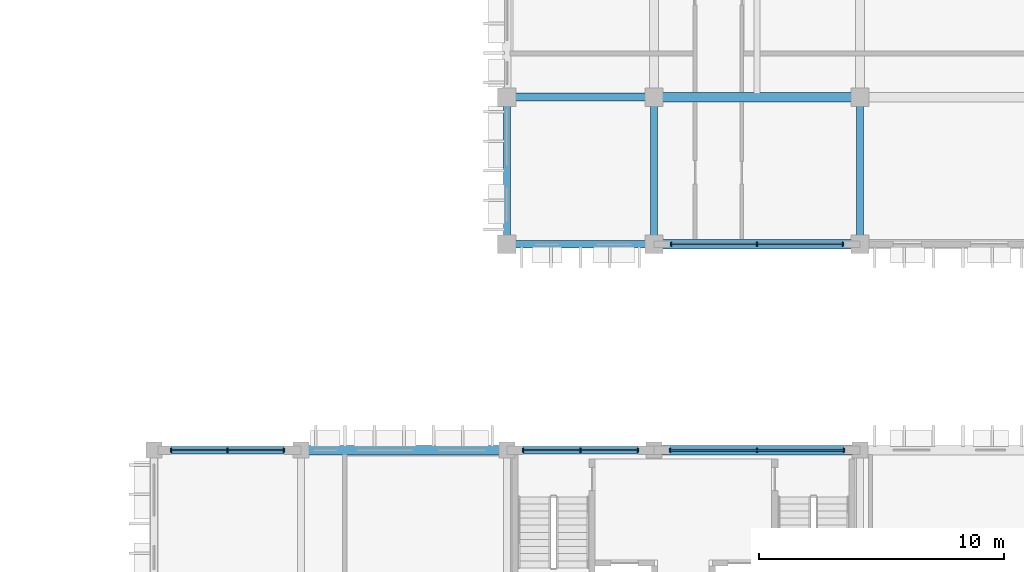
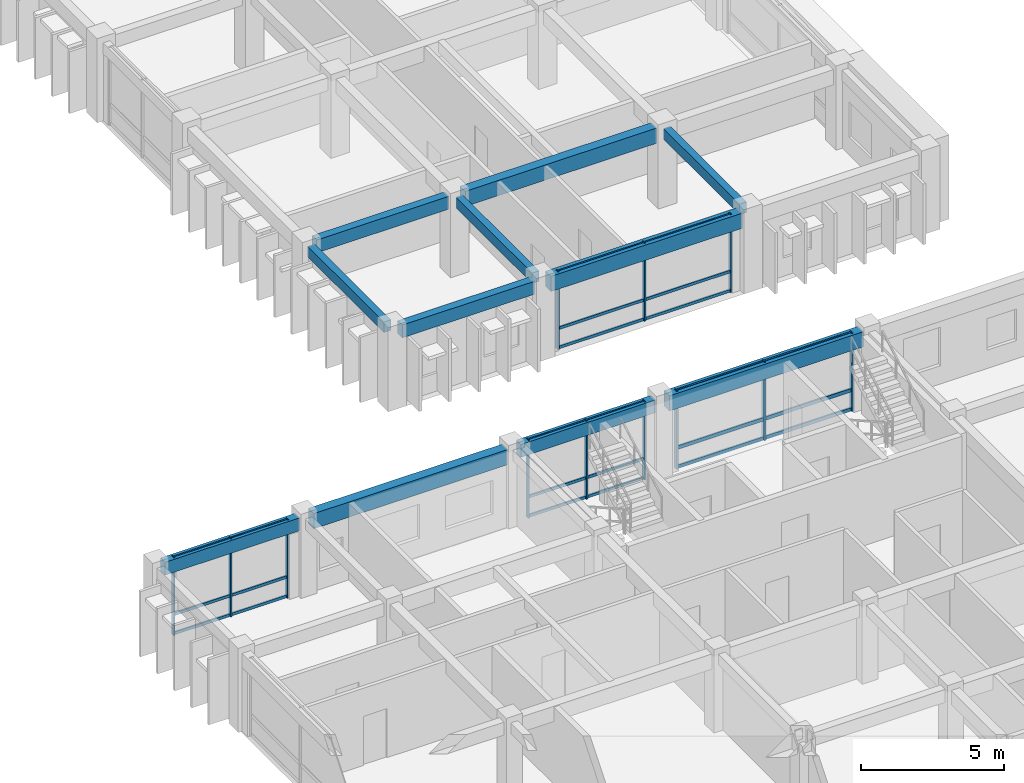
# One storey, part 38 of 88: 24 members, 11 beams, 4 elements without a shape of their own.
"""IFC4 building model written with IfcOpenShell, lengths in metres."""

from ifc_helpers import new_model, si_unit, direction, frame, origin, origin_2d, place, context, subcontext, project, spatial, rectangle, extrude, material, material_profile, profile_set, type_object, element, aggregate, save


model = new_model("IFC4")

# Units and contexts
model_context = context("Model", 3, precision=1e-05, world=origin(), true_north=direction((0.0, 1.0)))
body_context = subcontext(model_context, "Body", "Model", "MODEL_VIEW")
ifc_project = project(units=[si_unit("LENGTHUNIT", "METRE"), si_unit("AREAUNIT", "SQUARE_METRE"), si_unit("VOLUMEUNIT", "CUBIC_METRE"), si_unit("PLANEANGLEUNIT", "RADIAN"), si_unit("MASSUNIT", "GRAM", prefix="KILO"), si_unit("THERMODYNAMICTEMPERATUREUNIT", "KELVIN")], contexts=[model_context])

# Site, building, storey
site_placement = place(None, origin())
site = spatial("IfcSite", under=ifc_project, at=site_placement, CompositionType="ELEMENT")
building_placement = place(site_placement, origin())
building = spatial("IfcBuilding", under=site, at=building_placement, Name="Thalorik Housing Commons", CompositionType="ELEMENT")
storey_placement = place(building_placement, frame((0.0, 0.0, 4.5)))
storey = spatial("IfcBuildingStorey", under=building, at=storey_placement, Name="L01", CompositionType="ELEMENT", Elevation=4.5)

# Curtain wall, members
ifc_material_1 = material(Name="Anodised aluminium and solar-control low-E glass", Category="aluminium")
curtain_wall_type_1 = type_object("IfcCurtainWallType", Name="ARC-CW-LOUNGE", PredefinedType="USERDEFINED", material=ifc_material_1)
curtain_wall_1_placement = place(storey_placement, origin())
curtain_wall_1 = element("IfcCurtainWall", 1, at=curtain_wall_1_placement, inside=storey, type_object=curtain_wall_type_1, Name="L01 Curtain Wall CW-RES-L01-B-077", ObjectType="CURTAIN WALL", PredefinedType="USERDEFINED")
ifc_material_2 = material(Name="Anodised aluminium 6063-T6", Category="aluminium")
ifc_material_profile_1 = material_profile(ifc_material_2, rectangle(XDim=0.06005859375, YDim=0.159912109375, at=origin_2d()), Name="ALU MUL 60x160", Category="aluminium")
ifc_profile_set_1 = profile_set([ifc_material_profile_1], Name="Anodised aluminium 6063-T6")
member_type_1 = type_object("IfcMemberType", Name="ARC-CW-MUL-60x160", PredefinedType="MULLION", material=ifc_profile_set_1)
member_1_placement = place(storey_placement, frame((159.10009765625, 80.39990234375, 0.0), z_axis=(0.0, 0.0, 1.0), x_axis=(1.0, 0.0, 0.0)))
member_1 = element("IfcMember", 2, at=member_1_placement, type_object=member_type_1, Name="CW-RES-L01-B-077 Mullion 1", PredefinedType="MULLION", context=body_context, shape_type="SweptSolid", body=[
    extrude(rectangle(XDim=0.06005859375, YDim=0.159912109375, at=origin_2d()), origin(), (0.0, 0.0, 1.0), 3.340087890625),
])
member_2_placement = place(storey_placement, frame((162.60009765625, 80.39990234375, 0.0), z_axis=(0.0, 0.0, 1.0), x_axis=(1.0, 0.0, 0.0)))
member_2 = element("IfcMember", 3, at=member_2_placement, type_object=member_type_1, Name="CW-RES-L01-B-077 Mullion 2", PredefinedType="MULLION", context=body_context, shape_type="SweptSolid", body=[
    extrude(rectangle(XDim=0.06005859375, YDim=0.159912109375, at=origin_2d()), origin(), (0.0, 0.0, 1.0), 3.340087890625),
])
member_3_placement = place(storey_placement, frame((166.10009765625, 80.39990234375, 0.0), z_axis=(0.0, 0.0, 1.0), x_axis=(1.0, 0.0, 0.0)))
member_3 = element("IfcMember", 4, at=member_3_placement, type_object=member_type_1, Name="CW-RES-L01-B-077 Mullion 3", PredefinedType="MULLION", context=body_context, shape_type="SweptSolid", body=[
    extrude(rectangle(XDim=0.06005859375, YDim=0.159912109375, at=origin_2d()), origin(), (0.0, 0.0, 1.0), 3.340087890625),
])

curtain_wall_2_placement = place(storey_placement, origin())
curtain_wall_2 = element("IfcCurtainWall", 5, at=curtain_wall_2_placement, inside=storey, type_object=curtain_wall_type_1, Name="L01 Curtain Wall CW-RES-L01-D-173", ObjectType="CURTAIN WALL", PredefinedType="USERDEFINED")
member_4_placement = place(storey_placement, frame((143.300048828125, 72.0, 0.0), z_axis=(0.0, 0.0, 1.0), x_axis=(-1.0, 0.0, 0.0)))
member_4 = element("IfcMember", 6, at=member_4_placement, type_object=member_type_1, Name="CW-RES-L01-D-173 Mullion 1", PredefinedType="MULLION", context=body_context, shape_type="SweptSolid", body=[
    extrude(rectangle(XDim=0.06005859375, YDim=0.159912109375, at=origin_2d()), origin(), (0.0, 0.0, 1.0), 3.340087890625),
])
member_5_placement = place(storey_placement, frame((141.0, 72.0, 0.0), z_axis=(0.0, 0.0, 1.0), x_axis=(-1.0, 0.0, 0.0)))
member_5 = element("IfcMember", 7, at=member_5_placement, type_object=member_type_1, Name="CW-RES-L01-D-173 Mullion 2", PredefinedType="MULLION", context=body_context, shape_type="SweptSolid", body=[
    extrude(rectangle(XDim=0.06005859375, YDim=0.159912109375, at=origin_2d()), origin(), (0.0, 0.0, 1.0), 3.340087890625),
])
member_6_placement = place(storey_placement, frame((138.699951171875, 72.0, 0.0), z_axis=(0.0, 0.0, 1.0), x_axis=(-1.0, 0.0, 0.0)))
member_6 = element("IfcMember", 8, at=member_6_placement, type_object=member_type_1, Name="CW-RES-L01-D-173 Mullion 3", PredefinedType="MULLION", context=body_context, shape_type="SweptSolid", body=[
    extrude(rectangle(XDim=0.06005859375, YDim=0.159912109375, at=origin_2d()), origin(), (0.0, 0.0, 1.0), 3.340087890625),
])

curtain_wall_type_2 = type_object("IfcCurtainWallType", Name="ARC-CW-CORE", PredefinedType="USERDEFINED", material=ifc_material_1)
curtain_wall_3_placement = place(storey_placement, origin())
curtain_wall_3 = element("IfcCurtainWall", 9, at=curtain_wall_3_placement, inside=storey, type_object=curtain_wall_type_2, Name="L01 Curtain Wall CW-CORE-L01-D-179", ObjectType="CURTAIN WALL", PredefinedType="USERDEFINED")
member_7_placement = place(storey_placement, frame((157.75, 72.0, 0.0), z_axis=(0.0, 0.0, 1.0), x_axis=(-1.0, 0.0, 0.0)))
member_7 = element("IfcMember", 10, at=member_7_placement, type_object=member_type_1, Name="CW-CORE-L01-D-179 Mullion 1", PredefinedType="MULLION", context=body_context, shape_type="SweptSolid", body=[
    extrude(rectangle(XDim=0.06005859375, YDim=0.159912109375, at=origin_2d()), origin(), (0.0, 0.0, 1.0), 3.340087890625),
])
member_8_placement = place(storey_placement, frame((155.39990234375, 72.0, 0.0), z_axis=(0.0, 0.0, 1.0), x_axis=(-1.0, 0.0, 0.0)))
member_8 = element("IfcMember", 11, at=member_8_placement, type_object=member_type_1, Name="CW-CORE-L01-D-179 Mullion 2", PredefinedType="MULLION", context=body_context, shape_type="SweptSolid", body=[
    extrude(rectangle(XDim=0.06005859375, YDim=0.159912109375, at=origin_2d()), origin(), (0.0, 0.0, 1.0), 3.340087890625),
])
member_9_placement = place(storey_placement, frame((153.050048828125, 72.0, 0.0), z_axis=(0.0, 0.0, 1.0), x_axis=(-1.0, 0.0, 0.0)))
member_9 = element("IfcMember", 12, at=member_9_placement, type_object=member_type_1, Name="CW-CORE-L01-D-179 Mullion 3", PredefinedType="MULLION", context=body_context, shape_type="SweptSolid", body=[
    extrude(rectangle(XDim=0.06005859375, YDim=0.159912109375, at=origin_2d()), origin(), (0.0, 0.0, 1.0), 3.340087890625),
])

curtain_wall_4_placement = place(storey_placement, origin())
curtain_wall_4 = element("IfcCurtainWall", 13, at=curtain_wall_4_placement, inside=storey, type_object=curtain_wall_type_2, Name="L01 Curtain Wall CW-CORE-L01-D-178", ObjectType="CURTAIN WALL", PredefinedType="USERDEFINED")
ifc_material_profile_2 = material_profile(ifc_material_2, rectangle(XDim=0.06494140625, YDim=0.179931640625, at=origin_2d()), Name="ALU MUL 65x180", Category="aluminium")
ifc_profile_set_2 = profile_set([ifc_material_profile_2], Name="Anodised aluminium 6063-T6")
member_type_2 = type_object("IfcMemberType", Name="ARC-CW-MUL-65x180", PredefinedType="MULLION", material=ifc_profile_set_2)
member_10_placement = place(storey_placement, frame((166.14990234375, 72.0, 0.0), z_axis=(0.0, 0.0, 1.0), x_axis=(-1.0, 0.0, 0.0)))
member_10 = element("IfcMember", 14, at=member_10_placement, type_object=member_type_2, Name="CW-CORE-L01-D-178 Mullion 1", PredefinedType="MULLION", context=body_context, shape_type="SweptSolid", body=[
    extrude(rectangle(XDim=0.06494140625, YDim=0.179931640625, at=origin_2d()), origin(), (0.0, 0.0, 1.0), 3.340087890625),
])
member_11_placement = place(storey_placement, frame((162.60009765625, 72.0, 0.0), z_axis=(0.0, 0.0, 1.0), x_axis=(-1.0, 0.0, 0.0)))
member_11 = element("IfcMember", 15, at=member_11_placement, type_object=member_type_2, Name="CW-CORE-L01-D-178 Mullion 2", PredefinedType="MULLION", context=body_context, shape_type="SweptSolid", body=[
    extrude(rectangle(XDim=0.06494140625, YDim=0.179931640625, at=origin_2d()), origin(), (0.0, 0.0, 1.0), 3.340087890625),
])
member_12_placement = place(storey_placement, frame((159.050048828125, 72.0, 0.0), z_axis=(0.0, 0.0, 1.0), x_axis=(-1.0, 0.0, 0.0)))
member_12 = element("IfcMember", 16, at=member_12_placement, type_object=member_type_2, Name="CW-CORE-L01-D-178 Mullion 3", PredefinedType="MULLION", context=body_context, shape_type="SweptSolid", body=[
    extrude(rectangle(XDim=0.06494140625, YDim=0.179931640625, at=origin_2d()), origin(), (0.0, 0.0, 1.0), 3.340087890625),
])

# Member
ifc_material_profile_3 = material_profile(ifc_material_2, rectangle(XDim=0.06005859375, YDim=0.1201171875, at=origin_2d()), Name="ALU TRN 60x120", Category="aluminium")
ifc_profile_set_3 = profile_set([ifc_material_profile_3], Name="Anodised aluminium 6063-T6")
member_type_3 = type_object("IfcMemberType", Name="ARC-CW-TRN-60x120", PredefinedType="USERDEFINED", material=ifc_profile_set_3)
member_13_placement = place(storey_placement, frame((159.10009765625, 80.39990234375, 0.054931640625), z_axis=(1.0, 0.0, 0.0), x_axis=(0.0, 1.0, 0.0)))
member_13 = element("IfcMember", 17, at=member_13_placement, type_object=member_type_3, Name="CW-RES-L01-B-077 Transom 1", ObjectType="TRANSOM", PredefinedType="USERDEFINED", context=body_context, shape_type="SweptSolid", body=[
    extrude(rectangle(XDim=0.06005859375, YDim=0.1201171875, at=origin_2d()), origin(), (0.0, 0.0, 1.0), 7.0),
])

member_14_placement = place(storey_placement, frame((159.10009765625, 80.39990234375, 0.8798828125), z_axis=(1.0, 0.0, 0.0), x_axis=(0.0, 1.0, 0.0)))
member_14 = element("IfcMember", 18, at=member_14_placement, type_object=member_type_3, Name="CW-RES-L01-B-077 Transom 2", ObjectType="TRANSOM", PredefinedType="USERDEFINED", context=body_context, shape_type="SweptSolid", body=[
    extrude(rectangle(XDim=0.06005859375, YDim=0.1201171875, at=origin_2d()), origin(), (0.0, 0.0, 1.0), 7.0),
])

member_15_placement = place(storey_placement, frame((159.10009765625, 80.39990234375, 3.284912109375), z_axis=(1.0, 0.0, 0.0), x_axis=(0.0, 1.0, 0.0)))
member_15 = element("IfcMember", 19, at=member_15_placement, type_object=member_type_3, Name="CW-RES-L01-B-077 Transom 3", ObjectType="TRANSOM", PredefinedType="USERDEFINED", context=body_context, shape_type="SweptSolid", body=[
    extrude(rectangle(XDim=0.06005859375, YDim=0.1201171875, at=origin_2d()), origin(), (0.0, 0.0, 1.0), 7.0),
])

aggregate(curtain_wall_1, [member_1, member_2, member_3, member_13, member_14, member_15])

member_16_placement = place(storey_placement, frame((143.300048828125, 72.0, 0.054931640625), z_axis=(-1.0, 0.0, 0.0), x_axis=(0.0, -1.0, 0.0)))
member_16 = element("IfcMember", 20, at=member_16_placement, type_object=member_type_3, Name="CW-RES-L01-D-173 Transom 1", ObjectType="TRANSOM", PredefinedType="USERDEFINED", context=body_context, shape_type="SweptSolid", body=[
    extrude(rectangle(XDim=0.06005859375, YDim=0.1201171875, at=origin_2d()), origin(), (0.0, 0.0, 1.0), 4.60009765625),
])

member_17_placement = place(storey_placement, frame((143.300048828125, 72.0, 0.8798828125), z_axis=(-1.0, 0.0, 0.0), x_axis=(0.0, -1.0, 0.0)))
member_17 = element("IfcMember", 21, at=member_17_placement, type_object=member_type_3, Name="CW-RES-L01-D-173 Transom 2", ObjectType="TRANSOM", PredefinedType="USERDEFINED", context=body_context, shape_type="SweptSolid", body=[
    extrude(rectangle(XDim=0.06005859375, YDim=0.1201171875, at=origin_2d()), origin(), (0.0, 0.0, 1.0), 4.60009765625),
])

member_18_placement = place(storey_placement, frame((143.300048828125, 72.0, 3.284912109375), z_axis=(-1.0, 0.0, 0.0), x_axis=(0.0, -1.0, 0.0)))
member_18 = element("IfcMember", 22, at=member_18_placement, type_object=member_type_3, Name="CW-RES-L01-D-173 Transom 3", ObjectType="TRANSOM", PredefinedType="USERDEFINED", context=body_context, shape_type="SweptSolid", body=[
    extrude(rectangle(XDim=0.06005859375, YDim=0.1201171875, at=origin_2d()), origin(), (0.0, 0.0, 1.0), 4.60009765625),
])

aggregate(curtain_wall_2, [member_4, member_5, member_6, member_16, member_17, member_18])

member_19_placement = place(storey_placement, frame((157.75, 72.0, 0.054931640625), z_axis=(-1.0, 0.0, 0.0), x_axis=(0.0, -1.0, 0.0)))
member_19 = element("IfcMember", 23, at=member_19_placement, type_object=member_type_3, Name="CW-CORE-L01-D-179 Transom 1", ObjectType="TRANSOM", PredefinedType="USERDEFINED", context=body_context, shape_type="SweptSolid", body=[
    extrude(rectangle(XDim=0.06005859375, YDim=0.1201171875, at=origin_2d()), origin(), (0.0, 0.0, 1.0), 4.699951171875),
])

member_20_placement = place(storey_placement, frame((157.75, 72.0, 0.8798828125), z_axis=(-1.0, 0.0, 0.0), x_axis=(0.0, -1.0, 0.0)))
member_20 = element("IfcMember", 24, at=member_20_placement, type_object=member_type_3, Name="CW-CORE-L01-D-179 Transom 2", ObjectType="TRANSOM", PredefinedType="USERDEFINED", context=body_context, shape_type="SweptSolid", body=[
    extrude(rectangle(XDim=0.06005859375, YDim=0.1201171875, at=origin_2d()), origin(), (0.0, 0.0, 1.0), 4.699951171875),
])

member_21_placement = place(storey_placement, frame((157.75, 72.0, 3.284912109375), z_axis=(-1.0, 0.0, 0.0), x_axis=(0.0, -1.0, 0.0)))
member_21 = element("IfcMember", 25, at=member_21_placement, type_object=member_type_3, Name="CW-CORE-L01-D-179 Transom 3", ObjectType="TRANSOM", PredefinedType="USERDEFINED", context=body_context, shape_type="SweptSolid", body=[
    extrude(rectangle(XDim=0.06005859375, YDim=0.1201171875, at=origin_2d()), origin(), (0.0, 0.0, 1.0), 4.699951171875),
])

aggregate(curtain_wall_3, [member_7, member_8, member_9, member_19, member_20, member_21])

ifc_material_profile_4 = material_profile(ifc_material_2, rectangle(XDim=0.06494140625, YDim=0.14990234375, at=origin_2d()), Name="ALU TRN 65x150", Category="aluminium")
ifc_profile_set_4 = profile_set([ifc_material_profile_4], Name="Anodised aluminium 6063-T6")
member_type_4 = type_object("IfcMemberType", Name="ARC-CW-TRN-65x150", PredefinedType="USERDEFINED", material=ifc_profile_set_4)
member_22_placement = place(storey_placement, frame((166.14990234375, 72.0, 0.054931640625), z_axis=(-1.0, 0.0, 0.0), x_axis=(0.0, -1.0, 0.0)))
member_22 = element("IfcMember", 26, at=member_22_placement, type_object=member_type_4, Name="CW-CORE-L01-D-178 Transom 1", ObjectType="TRANSOM", PredefinedType="USERDEFINED", context=body_context, shape_type="SweptSolid", body=[
    extrude(rectangle(XDim=0.06494140625, YDim=0.14990234375, at=origin_2d()), origin(), (0.0, 0.0, 1.0), 7.099853515625),
])

member_23_placement = place(storey_placement, frame((166.14990234375, 72.0, 0.8798828125), z_axis=(-1.0, 0.0, 0.0), x_axis=(0.0, -1.0, 0.0)))
member_23 = element("IfcMember", 27, at=member_23_placement, type_object=member_type_4, Name="CW-CORE-L01-D-178 Transom 2", ObjectType="TRANSOM", PredefinedType="USERDEFINED", context=body_context, shape_type="SweptSolid", body=[
    extrude(rectangle(XDim=0.06494140625, YDim=0.14990234375, at=origin_2d()), origin(), (0.0, 0.0, 1.0), 7.099853515625),
])

member_24_placement = place(storey_placement, frame((166.14990234375, 72.0, 3.284912109375), z_axis=(-1.0, 0.0, 0.0), x_axis=(0.0, -1.0, 0.0)))
member_24 = element("IfcMember", 28, at=member_24_placement, type_object=member_type_4, Name="CW-CORE-L01-D-178 Transom 3", ObjectType="TRANSOM", PredefinedType="USERDEFINED", context=body_context, shape_type="SweptSolid", body=[
    extrude(rectangle(XDim=0.06494140625, YDim=0.14990234375, at=origin_2d()), origin(), (0.0, 0.0, 1.0), 7.099853515625),
])

aggregate(curtain_wall_4, [member_10, member_11, member_12, member_22, member_23, member_24])

# Beams
ifc_material_3 = material(Name="Precast concrete C40/50", Category="concrete")
ifc_material_profile_5 = material_profile(ifc_material_3, rectangle(XDim=0.280029296875, YDim=0.449951171875, at=origin_2d()), Name="PC 280x450", Category="concrete")
ifc_profile_set_5 = profile_set([ifc_material_profile_5], Name="Precast concrete C40/50")
beam_type_1 = type_object("IfcBeamType", Name="STR-BM-PC280x450", PredefinedType="BEAM", material=ifc_profile_set_5)
for number, where, z_axis, x_axis, name in (
    (29, (152.39990234375, 80.72509765625, 3.114990234375), (0.0, 1.0, 0.0), (-1.0, 0.0, 0.0), "L01 Beam B-450"),
    (30, (158.39990234375, 80.72509765625, 3.114990234375), (0.0, 1.0, 0.0), (-1.0, 0.0, 0.0), "L01 Beam B-450"),
    (31, (166.800048828125, 80.72509765625, 3.114990234375), (0.0, 1.0, 0.0), (-1.0, 0.0, 0.0), "L01 Beam B-450"),
):
    element("IfcBeam", number, at=place(storey_placement, frame(where, z_axis=z_axis, x_axis=x_axis)), inside=storey, type_object=beam_type_1, Name=name, PredefinedType="BEAM", context=body_context, shape_type="SweptSolid", body=[
        extrude(rectangle(XDim=0.280029296875, YDim=0.449951171875, at=origin_2d()), origin(), (0.0, 0.0, 1.0), 5.349853515625),
    ])
ifc_material_profile_6 = material_profile(ifc_material_3, rectangle(XDim=0.320068359375, YDim=0.550048828125, at=origin_2d()), Name="PC 320x550", Category="concrete")
ifc_profile_set_6 = profile_set([ifc_material_profile_6], Name="Precast concrete C40/50")
beam_type_2 = type_object("IfcBeamType", Name="STR-BM-PC320x550", PredefinedType="BEAM", material=ifc_profile_set_6)
beam_1_placement = place(storey_placement, frame((138.27490234375, 72.0, 3.06494140625), z_axis=(1.0, 0.0, 0.0), x_axis=(0.0, 1.0, 0.0)))
element("IfcBeam", 32, at=beam_1_placement, inside=storey, type_object=beam_type_2, Name="L01 Beam B-550", PredefinedType="BEAM", context=body_context, shape_type="SweptSolid", body=[
    extrude(rectangle(XDim=0.320068359375, YDim=0.550048828125, at=origin_2d()), origin(), (0.0, 0.0, 1.0), 5.4501953125),
])
beam_2_placement = place(storey_placement, frame((152.675048828125, 72.0, 3.06494140625), z_axis=(1.0, 0.0, 0.0), x_axis=(0.0, 1.0, 0.0)))
element("IfcBeam", 33, at=beam_2_placement, inside=storey, type_object=beam_type_2, Name="L01 Beam B-550", PredefinedType="BEAM", context=body_context, shape_type="SweptSolid", body=[
    extrude(rectangle(XDim=0.320068359375, YDim=0.550048828125, at=origin_2d()), origin(), (0.0, 0.0, 1.0), 5.449951171875),
])
for number, where, z_axis, x_axis, name in (
    (34, (152.72509765625, 80.39990234375, 3.06494140625), (1.0, 0.0, 0.0), (0.0, 1.0, 0.0), "L01 Beam B-550"),
    (35, (152.72509765625, 86.39990234375, 3.06494140625), (1.0, 0.0, 0.0), (0.0, 1.0, 0.0), "L01 Beam B-550"),
):
    element("IfcBeam", number, at=place(storey_placement, frame(where, z_axis=z_axis, x_axis=x_axis)), inside=storey, type_object=beam_type_2, Name=name, PredefinedType="BEAM", context=body_context, shape_type="SweptSolid", body=[
        extrude(rectangle(XDim=0.320068359375, YDim=0.550048828125, at=origin_2d()), origin(), (0.0, 0.0, 1.0), 5.349853515625),
    ])
ifc_material_profile_7 = material_profile(ifc_material_3, rectangle(XDim=0.3798828125, YDim=0.64990234375, at=origin_2d()), Name="PC 380x650", Category="concrete")
ifc_profile_set_7 = profile_set([ifc_material_profile_7], Name="Precast concrete C40/50")
beam_type_3 = type_object("IfcBeamType", Name="STR-BM-PC380x650", PredefinedType="BEAM", material=ifc_profile_set_7)
beam_3_placement = place(storey_placement, frame((144.27490234375, 72.0, 3.014892578125), z_axis=(1.0, 0.0, 0.0), x_axis=(0.0, 1.0, 0.0)))
element("IfcBeam", 36, at=beam_3_placement, inside=storey, type_object=beam_type_3, Name="L01 Beam B-650", PredefinedType="BEAM", context=body_context, shape_type="SweptSolid", body=[
    extrude(rectangle(XDim=0.3798828125, YDim=0.64990234375, at=origin_2d()), origin(), (0.0, 0.0, 1.0), 7.85009765625),
])
beam_4_placement = place(storey_placement, frame((158.675048828125, 72.0, 3.014892578125), z_axis=(1.0, 0.0, 0.0), x_axis=(0.0, 1.0, 0.0)))
element("IfcBeam", 37, at=beam_4_placement, inside=storey, type_object=beam_type_3, Name="L01 Beam B-650", PredefinedType="BEAM", context=body_context, shape_type="SweptSolid", body=[
    extrude(rectangle(XDim=0.3798828125, YDim=0.64990234375, at=origin_2d()), origin(), (0.0, 0.0, 1.0), 7.849853515625),
])
for number, where, z_axis, x_axis, name in (
    (38, (158.72509765625, 80.39990234375, 3.014892578125), (1.0, 0.0, 0.0), (0.0, 1.0, 0.0), "L01 Beam B-650"),
    (39, (158.72509765625, 86.39990234375, 3.014892578125), (1.0, 0.0, 0.0), (0.0, 1.0, 0.0), "L01 Beam B-650"),
):
    element("IfcBeam", number, at=place(storey_placement, frame(where, z_axis=z_axis, x_axis=x_axis)), inside=storey, type_object=beam_type_3, Name=name, PredefinedType="BEAM", context=body_context, shape_type="SweptSolid", body=[
        extrude(rectangle(XDim=0.3798828125, YDim=0.64990234375, at=origin_2d()), origin(), (0.0, 0.0, 1.0), 7.75),
    ])

save(model, "model.ifc")
